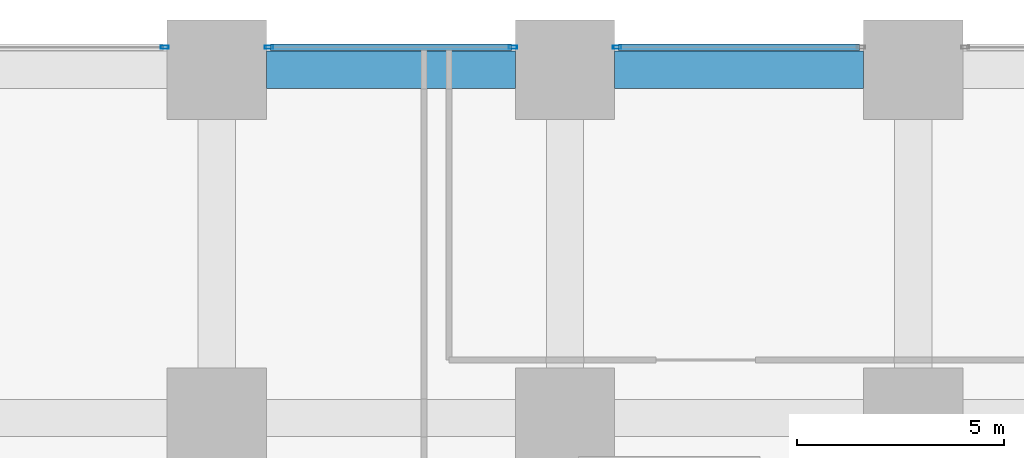
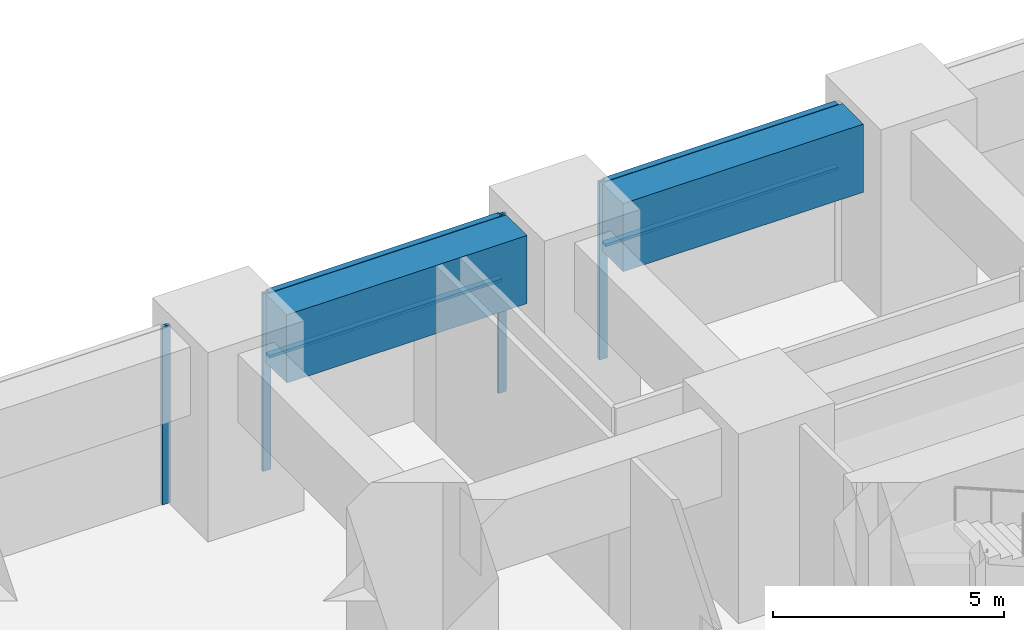
# One storey, part 25 of 49: 8 members, 2 beams, 3 elements without a shape of their own.
"""IFC4 building model written with IfcOpenShell, lengths in metres."""

from ifc_helpers import new_model, si_unit, direction, frame, origin, origin_2d, place, context, subcontext, project, spatial, rectangle, hollow_rectangle, extrude, material, material_profile, profile_set, type_object, element, aggregate, save


model = new_model("IFC4")

# Units and contexts
model_context = context("Model", 3, precision=1e-05, world=origin(), true_north=direction((0.0, 1.0)))
body_context = subcontext(model_context, "Body", "Model", "MODEL_VIEW")
ifc_project = project(units=[si_unit("LENGTHUNIT", "METRE"), si_unit("AREAUNIT", "SQUARE_METRE"), si_unit("VOLUMEUNIT", "CUBIC_METRE"), si_unit("PLANEANGLEUNIT", "RADIAN"), si_unit("MASSUNIT", "GRAM", prefix="KILO")], contexts=[model_context])

# Site, building, storey
site_placement = place(None, origin())
site = spatial("IfcSite", under=ifc_project, at=site_placement, CompositionType="ELEMENT")
building_placement = place(site_placement, origin())
building = spatial("IfcBuilding", under=site, at=building_placement, Name="Rekha Terrace Tower", CompositionType="ELEMENT")
storey_placement = place(building_placement, frame((0.0, 0.0, 10.39990234375)))
storey = spatial("IfcBuildingStorey", under=building, at=storey_placement, Name="L02", CompositionType="ELEMENT", Elevation=10.39990234375)

# Curtain wall, member
ifc_material_1 = material(Name="Aluminium framing", Category="aluminium")
curtain_wall_type = type_object("IfcCurtainWallType", Name="CW4 podium shopfront glazing", PredefinedType="USERDEFINED", material=ifc_material_1)
curtain_wall_1_placement = place(storey_placement, origin())
curtain_wall_1 = element("IfcCurtainWall", 1, at=curtain_wall_1_placement, inside=storey, type_object=curtain_wall_type, Name="CW4 shopfront curtain wall", ObjectType="SHOPFRONT CURTAIN WALL", PredefinedType="USERDEFINED")
ifc_material_2 = material(Name="Aluminium mullion section", Category="aluminium")
ifc_material_profile_1 = material_profile(ifc_material_2, hollow_rectangle(XDim=0.074951171875, YDim=0.199951171875, WallThickness=0.00390625, at=origin_2d()), Name="AL RHS 75x200")
ifc_profile_set_1 = profile_set([ifc_material_profile_1], Name="Aluminium mullion section")
member_type_1 = type_object("IfcMemberType", Name="CW4 mullion RHS 75 x 200", PredefinedType="MULLION", material=ifc_profile_set_1)
member_1_placement = place(storey_placement, frame((26.45751953125, 59.340087890625, 0.0), z_axis=(0.0, 0.0, 1.0), x_axis=(0.0, -1.0, 0.0)))
member_1 = element("IfcMember", 2, at=member_1_placement, type_object=member_type_1, Name="CW4 mullion 2", PredefinedType="MULLION", context=body_context, shape_type="SweptSolid", body=[
    extrude(hollow_rectangle(XDim=0.074951171875, YDim=0.199951171875, WallThickness=0.00390625, at=origin_2d()), origin(), (0.0, 0.0, 1.0), 4.7001953125),
])

# Curtain wall, members
curtain_wall_2_placement = place(storey_placement, origin())
curtain_wall_2 = element("IfcCurtainWall", 3, at=curtain_wall_2_placement, inside=storey, type_object=curtain_wall_type, Name="CW4 shopfront curtain wall", ObjectType="SHOPFRONT CURTAIN WALL", PredefinedType="USERDEFINED")
member_2_placement = place(storey_placement, frame((23.9423828125, 59.340087890625, 0.0), z_axis=(0.0, 0.0, 1.0), x_axis=(0.0, -1.0, 0.0)))
member_2 = element("IfcMember", 4, at=member_2_placement, type_object=member_type_1, Name="CW4 mullion 1", PredefinedType="MULLION", context=body_context, shape_type="SweptSolid", body=[
    extrude(hollow_rectangle(XDim=0.074951171875, YDim=0.199951171875, WallThickness=0.00390625, at=origin_2d()), origin(), (0.0, 0.0, 1.0), 4.7001953125),
])
member_3_placement = place(storey_placement, frame((18.0576171875, 59.340087890625, 0.0), z_axis=(0.0, 0.0, 1.0), x_axis=(0.0, -1.0, 0.0)))
member_3 = element("IfcMember", 5, at=member_3_placement, type_object=member_type_1, Name="CW4 mullion 2", PredefinedType="MULLION", context=body_context, shape_type="SweptSolid", body=[
    extrude(hollow_rectangle(XDim=0.074951171875, YDim=0.199951171875, WallThickness=0.00390625, at=origin_2d()), origin(), (0.0, 0.0, 1.0), 4.7001953125),
])

# Curtain wall, member
curtain_wall_3_placement = place(storey_placement, origin())
curtain_wall_3 = element("IfcCurtainWall", 6, at=curtain_wall_3_placement, inside=storey, type_object=curtain_wall_type, Name="CW4 shopfront curtain wall", ObjectType="SHOPFRONT CURTAIN WALL", PredefinedType="USERDEFINED")
member_4_placement = place(storey_placement, frame((15.54248046875, 59.340087890625, 0.0), z_axis=(0.0, 0.0, 1.0), x_axis=(0.0, -1.0, 0.0)))
member_4 = element("IfcMember", 7, at=member_4_placement, type_object=member_type_1, Name="CW4 mullion 1", PredefinedType="MULLION", context=body_context, shape_type="SweptSolid", body=[
    extrude(hollow_rectangle(XDim=0.074951171875, YDim=0.199951171875, WallThickness=0.00390625, at=origin_2d()), origin(), (0.0, 0.0, 1.0), 4.7001953125),
])
aggregate(curtain_wall_3, [member_4])

# Member
ifc_material_3 = material(Name="Aluminium transom section", Category="aluminium")
ifc_material_profile_2 = material_profile(ifc_material_3, hollow_rectangle(XDim=0.14990234375, YDim=0.074951171875, WallThickness=0.0029296875, at=origin_2d()), Name="AL RHS 150x75")
ifc_profile_set_2 = profile_set([ifc_material_profile_2], Name="Aluminium transom section")
member_type_2 = type_object("IfcMemberType", Name="CW4 transom RHS 75 x 150", PredefinedType="USERDEFINED", material=ifc_profile_set_2)
member_5_placement = place(storey_placement, frame((32.304931640625, 59.340087890625, 3.0), z_axis=(-1.0, 0.0, 0.0), x_axis=(0.0, -1.0, 0.0)))
member_5 = element("IfcMember", 8, at=member_5_placement, type_object=member_type_2, Name="CW4 transom 1.2", ObjectType="TRANSOM", PredefinedType="USERDEFINED", context=body_context, shape_type="SweptSolid", body=[
    extrude(hollow_rectangle(XDim=0.14990234375, YDim=0.074951171875, WallThickness=0.0029296875, at=origin_2d()), origin(), (0.0, 0.0, 1.0), 5.809814453125),
])

member_6_placement = place(storey_placement, frame((32.304931640625, 59.340087890625, 4.66259765625), z_axis=(-1.0, 0.0, 0.0), x_axis=(0.0, -1.0, 0.0)))
member_6 = element("IfcMember", 9, at=member_6_placement, type_object=member_type_2, Name="CW4 transom 1.3", ObjectType="TRANSOM", PredefinedType="USERDEFINED", context=body_context, shape_type="SweptSolid", body=[
    extrude(hollow_rectangle(XDim=0.14990234375, YDim=0.074951171875, WallThickness=0.0029296875, at=origin_2d()), origin(), (0.0, 0.0, 1.0), 5.809814453125),
])

aggregate(curtain_wall_1, [member_1, member_5, member_6])

member_7_placement = place(storey_placement, frame((23.905029296875, 59.340087890625, 3.0), z_axis=(-1.0, 0.0, 0.0), x_axis=(0.0, -1.0, 0.0)))
member_7 = element("IfcMember", 10, at=member_7_placement, type_object=member_type_2, Name="CW4 transom 1.2", ObjectType="TRANSOM", PredefinedType="USERDEFINED", context=body_context, shape_type="SweptSolid", body=[
    extrude(hollow_rectangle(XDim=0.14990234375, YDim=0.074951171875, WallThickness=0.0029296875, at=origin_2d()), origin(), (0.0, 0.0, 1.0), 5.81005859375),
])

member_8_placement = place(storey_placement, frame((23.905029296875, 59.340087890625, 4.66259765625), z_axis=(-1.0, 0.0, 0.0), x_axis=(0.0, -1.0, 0.0)))
member_8 = element("IfcMember", 11, at=member_8_placement, type_object=member_type_2, Name="CW4 transom 1.3", ObjectType="TRANSOM", PredefinedType="USERDEFINED", context=body_context, shape_type="SweptSolid", body=[
    extrude(hollow_rectangle(XDim=0.14990234375, YDim=0.074951171875, WallThickness=0.0029296875, at=origin_2d()), origin(), (0.0, 0.0, 1.0), 5.81005859375),
])

aggregate(curtain_wall_2, [member_2, member_3, member_7, member_8])

# Beams
ifc_material_4 = material(Name="Concrete M60", Category="concrete")
ifc_material_profile_3 = material_profile(ifc_material_4, rectangle(XDim=0.89990234375, YDim=1.800048828125, at=origin_2d()), Name="RC 900x1800")
ifc_profile_set_3 = profile_set([ifc_material_profile_3], Name="Concrete M60")
beam_type = type_object("IfcBeamType", Name="G1 900x1800 podium floor beam", PredefinedType="BEAM", material=ifc_profile_set_3)
for number, where, z_axis, x_axis, name in (
    (12, (18.0, 58.800048828125, 3.800048828125), (1.0, 0.0, 0.0), (0.0, 1.0, 0.0), "Beam G1 3H-4H under L03"),
    (13, (26.39990234375, 58.800048828125, 3.800048828125), (1.0, 0.0, 0.0), (0.0, 1.0, 0.0), "Beam G1 4H-5H under L03"),
):
    element("IfcBeam", number, at=place(storey_placement, frame(where, z_axis=z_axis, x_axis=x_axis)), inside=storey, type_object=beam_type, Name=name, PredefinedType="BEAM", context=body_context, shape_type="SweptSolid", body=[
        extrude(rectangle(XDim=0.89990234375, YDim=1.800048828125, at=origin_2d()), origin(), (0.0, 0.0, 1.0), 6.0),
    ])

save(model, "model.ifc")
